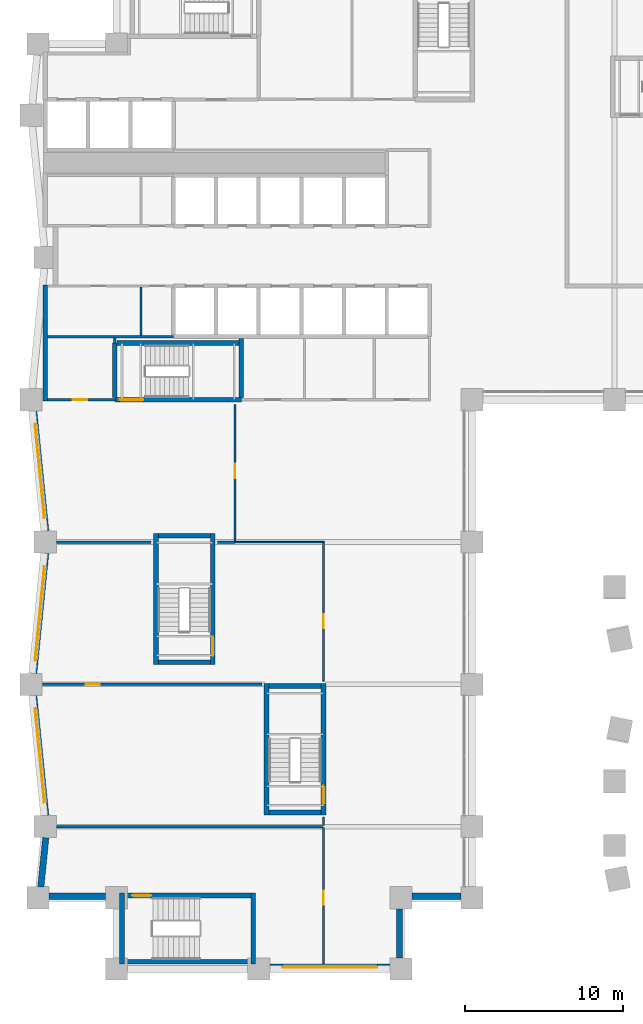
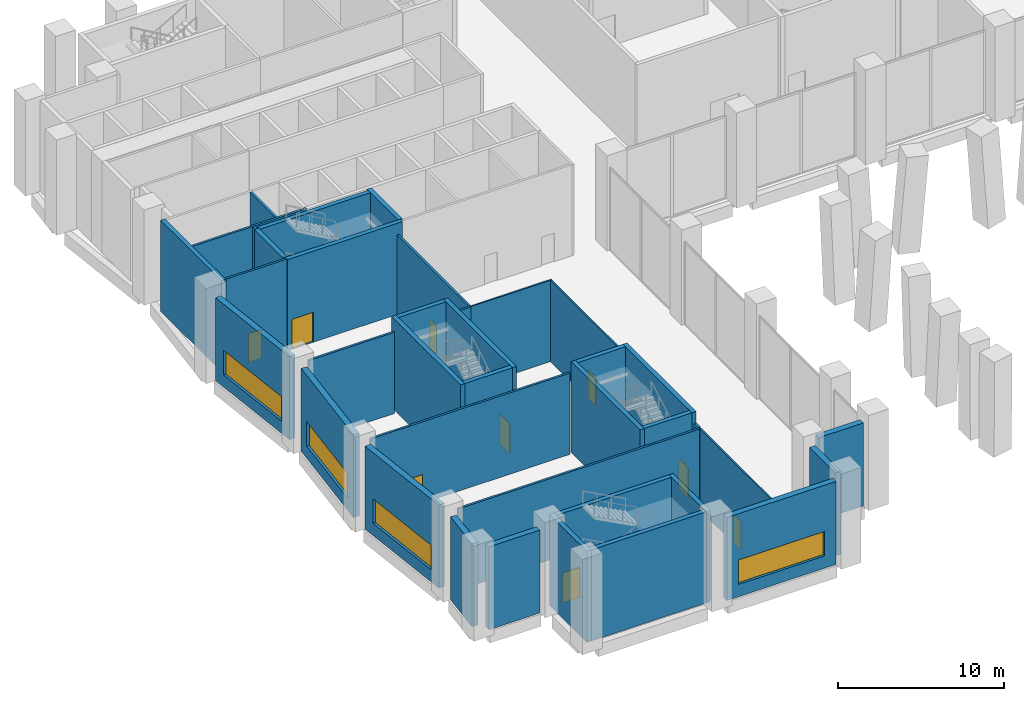
# One storey, part 10 of 18: 38 walls, 9 doors, 4 windows, 13 openings.
"""IFC4 building model written with IfcOpenShell, lengths in metres."""

from ifc_helpers import new_model, si_unit, direction, frame, frame_2d, origin, place, context, subcontext, project, spatial, rectangle, extrude, material, layer, layer_set, type_object, element, fill, save


model = new_model("IFC4")

# Units and contexts
model_context = context("Model", 3, precision=1e-05, world=origin(), true_north=direction((0.0, 1.0)))
body_context = subcontext(model_context, "Body", "Model", "MODEL_VIEW")
ifc_project = project(units=[si_unit("LENGTHUNIT", "METRE"), si_unit("AREAUNIT", "SQUARE_METRE"), si_unit("VOLUMEUNIT", "CUBIC_METRE"), si_unit("PLANEANGLEUNIT", "RADIAN"), si_unit("MASSUNIT", "GRAM", prefix="KILO")], contexts=[model_context])

# Site, building, storey
site_placement = place(None, origin())
site = spatial("IfcSite", under=ifc_project, at=site_placement, CompositionType="ELEMENT")
building_placement = place(site_placement, origin())
building = spatial("IfcBuilding", under=site, at=building_placement, Name="Brondeck Convention Tower", CompositionType="ELEMENT")
storey_placement = place(building_placement, frame((0.0, 0.0, 7.5)))
storey = spatial("IfcBuildingStorey", under=building, at=storey_placement, Name="L01", CompositionType="ELEMENT", Elevation=7.5)

# Wall
ifc_material_1 = material(Name="Concrete C80/95", Category="concrete")
ifc_layer_1 = layer(ifc_material_1, 0.300048828125)
ifc_layer_set_1 = layer_set([ifc_layer_1], Name="Core outer wall 300 Concrete C80/95")
wall_type_1 = type_object("IfcWallType", Name="Core outer wall 300 Concrete C80/95", PredefinedType="SHEAR", material=ifc_layer_set_1)
wall_1_placement = place(storey_placement, frame((0.0, 35.925048828125, 0.0), z_axis=(0.0, 0.0, 1.0), x_axis=(0.0, 1.0, 0.0)))
element("IfcWall", 1, at=wall_1_placement, inside=storey, type_object=wall_type_1, Name="L01 core wall", PredefinedType="SHEAR", context=body_context, shape_type="SweptSolid", body=[
    extrude(rectangle(XDim=7.349853515625, YDim=0.300048828125, at=frame_2d((3.6748046875, 0.0))), origin(), (0.0, 0.0, 1.0), 6.699951171875),
])

# Wall, opening, door
ifc_material_2 = material(Name="Fire-rated gypsum board partition")
ifc_layer_2 = layer(ifc_material_2, 0.14990234375)
ifc_layer_set_2 = layer_set([ifc_layer_2], Name="Core partition 150 EI 60")
wall_type_2 = type_object("IfcWallType", Name="Core partition 150 EI 60", PredefinedType="PARTITIONING", material=ifc_layer_set_2)
wall_2_placement = place(storey_placement, frame((0.14990234375, 36.0, 0.0), z_axis=(0.0, 0.0, 1.0), x_axis=(1.0, 0.0, 0.0)))
wall_2 = element("IfcWall", 2, at=wall_2_placement, inside=storey, type_object=wall_type_2, Name="L01 core wall", PredefinedType="PARTITIONING", context=body_context, shape_type="SweptSolid", body=[
    extrude(rectangle(XDim=4.25, YDim=0.14990234375, at=frame_2d((2.125, 0.0))), origin(), (0.0, 0.0, 1.0), 6.699951171875),
])
opening_1_placement = place(wall_2_placement, frame((1.60009765625, 0.0, 0.0)))
opening_1 = element("IfcOpeningElement", 3, at=opening_1_placement, cuts=wall_2, Name="Opening C03-06", PredefinedType="OPENING", context=body_context, shape_type="SweptSolid", body=[
    extrude(rectangle(XDim=0.89990234375, YDim=2.10009765625, at=frame_2d((0.449951171875, 1.050048828125))), frame((0.0, 0.0849609375, 0.0), z_axis=(0.0, -1.0, 0.0), x_axis=(1.0, 0.0, 0.0)), (0.0, 0.0, 1.0), 0.169921875),
])
ifc_material_3 = material(Name="Steel fire door", Category="steel")
door_type_1 = type_object("IfcDoorType", Name="Room door 900x2100 EI 60", OperationType="NOTDEFINED", PredefinedType="DOOR", material=ifc_material_3)
door_1_placement = place(opening_1_placement, origin())
door_1 = element("IfcDoor", 4, at=door_1_placement, inside=storey, type_object=door_type_1, Name="L01 Room door FRW-1", OperationType="SINGLE_SWING_LEFT", OverallHeight=2.10009765625, OverallWidth=0.89990234375, PredefinedType="DOOR", context=body_context, shape_type="SweptSolid", body=[
    extrude(rectangle(XDim=0.89990234375, YDim=2.10009765625, at=frame_2d((0.449951171875, 1.050048828125))), frame((0.0, 0.02490234375, 0.0), z_axis=(0.0, -1.0, 0.0), x_axis=(1.0, 0.0, 0.0)), (0.0, 0.0, 1.0), 0.050048828125),
])
fill(opening_1, door_1)

# Walls
wall_3_placement = place(storey_placement, frame((0.14990234375, 40.0, 0.0), z_axis=(0.0, 0.0, 1.0), x_axis=(1.0, 0.0, 0.0)))
element("IfcWall", 5, at=wall_3_placement, inside=storey, type_object=wall_type_2, Name="L01 core wall", PredefinedType="PARTITIONING", context=body_context, shape_type="SweptSolid", body=[
    extrude(rectangle(XDim=7.9501953125, YDim=0.14990234375, at=frame_2d((3.97509765625, 0.0))), origin(), (0.0, 0.0, 1.0), 6.699951171875),
])
wall_4_placement = place(storey_placement, frame((4.39990234375, 39.60009765625, 0.0), z_axis=(0.0, 0.0, 1.0), x_axis=(0.0, 1.0, 0.0)))
element("IfcWall", 6, at=wall_4_placement, inside=storey, type_object=wall_type_2, Name="L01 core wall", PredefinedType="PARTITIONING", context=body_context, shape_type="SweptSolid", body=[
    extrude(rectangle(XDim=0.324951171875, YDim=0.14990234375, at=frame_2d((0.16259765625, 0.0))), origin(), (0.0, 0.0, 1.0), 6.699951171875),
])
wall_5_placement = place(storey_placement, frame((6.050048828125, 40.074951171875, 0.0), z_axis=(0.0, 0.0, 1.0), x_axis=(0.0, 1.0, 0.0)))
element("IfcWall", 7, at=wall_5_placement, inside=storey, type_object=wall_type_2, Name="L01 core wall", PredefinedType="PARTITIONING", context=body_context, shape_type="SweptSolid", body=[
    extrude(rectangle(XDim=3.050048828125, YDim=0.14990234375, at=frame_2d((1.52490234375, 0.0))), origin(), (0.0, 0.0, 1.0), 6.699951171875),
])

# Wall, opening, window
ifc_material_4 = material(Name="Limestone", Category="masonry")
ifc_layer_3 = layer(ifc_material_4, 0.10009765625, Name="Limestone facing")
ifc_material_5 = material(Name="Mineral wool")
ifc_layer_4 = layer(ifc_material_5, 0.159912109375, Name="Insulation")
ifc_material_6 = material(Name="Concrete C35/45", Category="concrete")
ifc_layer_5 = layer(ifc_material_6, 0.139892578125, Name="Backing")
ifc_layer_set_3 = layer_set([ifc_layer_3, ifc_layer_4, ifc_layer_5], Name="External wall, limestone cladding")
wall_type_3 = type_object("IfcWallType", Name="External wall, limestone cladding", PredefinedType="SOLIDWALL", material=ifc_layer_set_3)
wall_6_placement = place(storey_placement, frame((21.800048828125, 0.10009765625, 0.0), z_axis=(0.0, 0.0, 1.0), x_axis=(-1.0, 0.0, 0.0)))
wall_6 = element("IfcWall", 8, at=wall_6_placement, inside=storey, type_object=wall_type_3, Name="ENV-EW-L01-BASE-B-S-04", PredefinedType="SOLIDWALL", context=body_context, shape_type="SweptSolid", body=[
    extrude(rectangle(XDim=7.60009765625, YDim=0.39990234375, at=frame_2d((3.800048828125, 0.0))), origin(), (0.0, 0.0, 1.0), 6.10009765625),
])
opening_2_placement = place(wall_6_placement, frame((0.800048828125, 0.0, 0.89990234375)))
opening_2 = element("IfcOpeningElement", 9, at=opening_2_placement, cuts=wall_6, Name="Opening W4", PredefinedType="OPENING", context=body_context, shape_type="SweptSolid", body=[
    extrude(rectangle(XDim=6.0, YDim=1.800048828125, at=frame_2d((3.0, 0.89990234375))), frame((0.0, 0.2099609375, 0.0), z_axis=(0.0, -1.0, 0.0), x_axis=(1.0, 0.0, 0.0)), (0.0, 0.0, 1.0), 0.419921875),
])
ifc_material_7 = material(Name="Bronze tinted double glazing", Category="glass")
window_type = type_object("IfcWindowType", Name="Podium ribbon window, bronze tinted", PartitioningType="SINGLE_PANEL", PredefinedType="WINDOW", material=ifc_material_7)
window_1_placement = place(opening_2_placement, origin())
window_1 = element("IfcWindow", 10, at=window_1_placement, inside=storey, type_object=window_type, Name="ENV-WN-L01-BASE-B-S-04", OverallHeight=1.800048828125, OverallWidth=6.0, PartitioningType="SINGLE_PANEL", PredefinedType="WINDOW", context=body_context, shape_type="SweptSolid", body=[
    extrude(rectangle(XDim=6.0, YDim=1.800048828125, at=frame_2d((3.0, 0.89990234375))), frame((0.0, 0.030029296875, 0.0), z_axis=(0.0, -1.0, 0.0), x_axis=(1.0, 0.0, 0.0)), (0.0, 0.0, 1.0), 0.06005859375),
])
fill(opening_2, window_1)

# Walls
for number, where, z_axis, x_axis, name in (
    (11, (22.39990234375, 3.800048828125, 0.0), (0.0, 0.0, 1.0), (0.0, -1.0, 0.0), "ENV-EW-L01-BASE-NC-SEB-01"),
    (12, (26.300048828125, 4.60009765625, 0.0), (0.0, 0.0, 1.0), (-1.0, 0.0, 0.0), "ENV-EW-L01-BASE-NC-SEB-02"),
):
    element("IfcWall", number, at=place(storey_placement, frame(where, z_axis=z_axis, x_axis=x_axis)), inside=storey, type_object=wall_type_3, Name=name, PredefinedType="SOLIDWALL", context=body_context, shape_type="SweptSolid", body=[
        extrude(rectangle(XDim=3.10009765625, YDim=0.39990234375, at=frame_2d((1.550048828125, 0.0))), origin(), (0.0, 0.0, 1.0), 6.10009765625),
    ])

# Wall, opening, window
wall_7_placement = place(storey_placement, frame((0.02978515625, 27.70654296875, 0.0), z_axis=(0.0, 0.0, 1.0), x_axis=(-0.099478423711, 0.995039719416, 0.0)))
wall_7 = element("IfcWall", 13, at=wall_7_placement, inside=storey, type_object=wall_type_3, Name="ENV-EW-L01-BASE-B-W-07", PredefinedType="SOLIDWALL", context=body_context, shape_type="SweptSolid", body=[
    extrude(rectangle(XDim=7.644775390625, YDim=0.39990234375, at=frame_2d((3.822265625, 0.0))), origin(), (0.0, 0.0, 1.0), 6.10009765625),
])
opening_3_placement = place(wall_7_placement, frame((0.822509765625, 0.0, 0.89990234375)))
opening_3 = element("IfcOpeningElement", 14, at=opening_3_placement, cuts=wall_7, Name="Opening W4", PredefinedType="OPENING", context=body_context, shape_type="SweptSolid", body=[
    extrude(rectangle(XDim=6.0, YDim=1.800048828125, at=frame_2d((3.0, 0.89990234375))), frame((0.0, 0.2099609375, 0.0), z_axis=(0.0, -1.0, 0.0), x_axis=(1.0, 0.0, 0.0)), (0.0, 0.0, 1.0), 0.419921875),
])
window_2_placement = place(opening_3_placement, origin())
window_2 = element("IfcWindow", 15, at=window_2_placement, inside=storey, type_object=window_type, Name="ENV-WN-L01-BASE-B-W-07", OverallHeight=1.800048828125, OverallWidth=6.0, PartitioningType="SINGLE_PANEL", PredefinedType="WINDOW", context=body_context, shape_type="SweptSolid", body=[
    extrude(rectangle(XDim=6.0, YDim=1.800048828125, at=frame_2d((3.0, 0.89990234375))), frame((0.0, 0.030029296875, 0.0), z_axis=(0.0, -1.0, 0.0), x_axis=(1.0, 0.0, 0.0)), (0.0, 0.0, 1.0), 0.06005859375),
])
fill(opening_3, window_2)

wall_8_placement = place(storey_placement, frame((-0.730712890625, 18.6865234375, 0.0), z_axis=(0.0, 0.0, 1.0), x_axis=(0.099478423711, 0.995039719416, 0.0)))
wall_8 = element("IfcWall", 16, at=wall_8_placement, inside=storey, type_object=wall_type_3, Name="ENV-EW-L01-BASE-B-W-09", PredefinedType="SOLIDWALL", context=body_context, shape_type="SweptSolid", body=[
    extrude(rectangle(XDim=7.644775390625, YDim=0.39990234375, at=frame_2d((3.822265625, 0.0))), origin(), (0.0, 0.0, 1.0), 6.10009765625),
])
opening_4_placement = place(wall_8_placement, frame((0.822509765625, 0.0, 0.89990234375)))
opening_4 = element("IfcOpeningElement", 17, at=opening_4_placement, cuts=wall_8, Name="Opening W4", PredefinedType="OPENING", context=body_context, shape_type="SweptSolid", body=[
    extrude(rectangle(XDim=6.0, YDim=1.800048828125, at=frame_2d((3.0, 0.89990234375))), frame((0.0, 0.2099609375, 0.0), z_axis=(0.0, -1.0, 0.0), x_axis=(1.0, 0.0, 0.0)), (0.0, 0.0, 1.0), 0.419921875),
])
window_3_placement = place(opening_4_placement, origin())
window_3 = element("IfcWindow", 18, at=window_3_placement, inside=storey, type_object=window_type, Name="ENV-WN-L01-BASE-B-W-09", OverallHeight=1.800048828125, OverallWidth=6.0, PartitioningType="SINGLE_PANEL", PredefinedType="WINDOW", context=body_context, shape_type="SweptSolid", body=[
    extrude(rectangle(XDim=6.0, YDim=1.800048828125, at=frame_2d((3.0, 0.89990234375))), frame((0.0, 0.030029296875, 0.0), z_axis=(0.0, -1.0, 0.0), x_axis=(1.0, 0.0, 0.0)), (0.0, 0.0, 1.0), 0.06005859375),
])
fill(opening_4, window_3)

wall_9_placement = place(storey_placement, frame((0.02978515625, 9.70654296875, 0.0), z_axis=(0.0, 0.0, 1.0), x_axis=(-0.099478423711, 0.995039719416, 0.0)))
wall_9 = element("IfcWall", 19, at=wall_9_placement, inside=storey, type_object=wall_type_3, Name="ENV-EW-L01-BASE-B-W-11", PredefinedType="SOLIDWALL", context=body_context, shape_type="SweptSolid", body=[
    extrude(rectangle(XDim=7.644775390625, YDim=0.39990234375, at=frame_2d((3.822265625, 0.0))), origin(), (0.0, 0.0, 1.0), 6.10009765625),
])
opening_5_placement = place(wall_9_placement, frame((0.822509765625, 0.0, 0.89990234375)))
opening_5 = element("IfcOpeningElement", 20, at=opening_5_placement, cuts=wall_9, Name="Opening W4", PredefinedType="OPENING", context=body_context, shape_type="SweptSolid", body=[
    extrude(rectangle(XDim=6.0, YDim=1.800048828125, at=frame_2d((3.0, 0.89990234375))), frame((0.0, 0.2099609375, 0.0), z_axis=(0.0, -1.0, 0.0), x_axis=(1.0, 0.0, 0.0)), (0.0, 0.0, 1.0), 0.419921875),
])
window_4_placement = place(opening_5_placement, origin())
window_4 = element("IfcWindow", 21, at=window_4_placement, inside=storey, type_object=window_type, Name="ENV-WN-L01-BASE-B-W-11", OverallHeight=1.800048828125, OverallWidth=6.0, PartitioningType="SINGLE_PANEL", PredefinedType="WINDOW", context=body_context, shape_type="SweptSolid", body=[
    extrude(rectangle(XDim=6.0, YDim=1.800048828125, at=frame_2d((3.0, 0.89990234375))), frame((0.0, 0.030029296875, 0.0), z_axis=(0.0, -1.0, 0.0), x_axis=(1.0, 0.0, 0.0)), (0.0, 0.0, 1.0), 0.06005859375),
])
fill(opening_5, window_4)

# Walls
wall_10_placement = place(storey_placement, frame((-0.28076171875, 5.1865234375, 0.0), z_axis=(0.0, 0.0, 1.0), x_axis=(0.099457269599, 0.995041834057, 0.0)))
element("IfcWall", 22, at=wall_10_placement, inside=storey, type_object=wall_type_3, Name="ENV-EW-L01-BASE-B-W-12", PredefinedType="SOLIDWALL", context=body_context, shape_type="SweptSolid", body=[
    extrude(rectangle(XDim=3.122314453125, YDim=0.39990234375, at=frame_2d((1.56103515625, 0.0))), origin(), (0.0, 0.0, 1.0), 6.10009765625),
])
wall_11_placement = place(storey_placement, frame((3.800048828125, 4.60009765625, 0.0), z_axis=(0.0, 0.0, 1.0), x_axis=(-1.0, 0.0, 0.0)))
element("IfcWall", 23, at=wall_11_placement, inside=storey, type_object=wall_type_3, Name="ENV-EW-L01-BASE-NC-SWB-01", PredefinedType="SOLIDWALL", context=body_context, shape_type="SweptSolid", body=[
    extrude(rectangle(XDim=3.550048828125, YDim=0.39990234375, at=frame_2d((1.77490234375, 0.0))), origin(), (0.0, 0.0, 1.0), 6.10009765625),
])
ifc_material_8 = material(Name="Double gypsum board acoustic wall")
ifc_layer_6 = layer(ifc_material_8, 0.14990234375)
ifc_layer_set_4 = layer_set([ifc_layer_6], Name="Guest room party wall 150")
wall_type_4 = type_object("IfcWallType", Name="Guest room party wall 150", PredefinedType="PARTITIONING", material=ifc_layer_set_4)
wall_12_placement = place(storey_placement, frame((0.719970703125, 9.0, 0.0), z_axis=(0.0, 0.0, 1.0), x_axis=(1.0, 0.0, 0.0)))
element("IfcWall", 24, at=wall_12_placement, inside=storey, type_object=wall_type_4, Name="FLR-L01-W002", PredefinedType="PARTITIONING", context=body_context, shape_type="SweptSolid", body=[
    extrude(rectangle(XDim=16.804931640625, YDim=0.14990234375, at=frame_2d((8.40234375, 0.0))), origin(), (0.0, 0.0, 1.0), 5.97998046875),
])
wall_13_placement = place(storey_placement, frame((17.60009765625, 9.074951171875, 0.0), z_axis=(0.0, 0.0, 1.0), x_axis=(0.0, 1.0, 0.0)))
element("IfcWall", 25, at=wall_13_placement, inside=storey, type_object=wall_type_4, Name="FLR-L01-W003", PredefinedType="PARTITIONING", context=body_context, shape_type="SweptSolid", body=[
    extrude(rectangle(XDim=0.525146484375, YDim=0.14990234375, at=frame_2d((0.2626953125, 0.0))), origin(), (0.0, 0.0, 1.0), 5.97998046875),
])

# Wall, opening, door
wall_14_placement = place(storey_placement, frame((13.699951171875, 18.0, 0.0), z_axis=(0.0, 0.0, 1.0), x_axis=(-1.0, 0.0, 0.0)))
wall_14 = element("IfcWall", 26, at=wall_14_placement, inside=storey, type_object=wall_type_4, Name="FLR-L01-W004", PredefinedType="PARTITIONING", context=body_context, shape_type="SweptSolid", body=[
    extrude(rectangle(XDim=13.8798828125, YDim=0.14990234375, at=frame_2d((6.93994140625, 0.0))), origin(), (0.0, 0.0, 1.0), 5.97998046875),
])
opening_6_placement = place(wall_14_placement, frame((10.25, 0.0, 0.0)))
opening_6 = element("IfcOpeningElement", 27, at=opening_6_placement, cuts=wall_14, Name="Opening P-L01-009", PredefinedType="OPENING", context=body_context, shape_type="SweptSolid", body=[
    extrude(rectangle(XDim=0.89990234375, YDim=2.10009765625, at=frame_2d((0.449951171875, 1.050048828125))), frame((0.0, 0.0849609375, 0.0), z_axis=(0.0, -1.0, 0.0), x_axis=(1.0, 0.0, 0.0)), (0.0, 0.0, 1.0), 0.169921875),
])
ifc_material_9 = material(Name="Solid timber door leaf", Category="wood")
door_type_2 = type_object("IfcDoorType", Name="Single door 900", OperationType="NOTDEFINED", PredefinedType="DOOR", material=ifc_material_9)
door_2_placement = place(opening_6_placement, origin())
door_2 = element("IfcDoor", 28, at=door_2_placement, inside=storey, type_object=door_type_2, Name="Door P-L01-009", OperationType="SINGLE_SWING_RIGHT", OverallHeight=2.10009765625, OverallWidth=0.89990234375, PredefinedType="DOOR", context=body_context, shape_type="SweptSolid", body=[
    extrude(rectangle(XDim=0.89990234375, YDim=2.10009765625, at=frame_2d((0.449951171875, 1.050048828125))), frame((0.0, 0.02490234375, 0.0), z_axis=(0.0, -1.0, 0.0), x_axis=(1.0, 0.0, 0.0)), (0.0, 0.0, 1.0), 0.050048828125),
])
fill(opening_6, door_2)

# Walls
wall_15_placement = place(storey_placement, frame((0.719970703125, 27.0, 0.0), z_axis=(0.0, 0.0, 1.0), x_axis=(1.0, 0.0, 0.0)))
element("IfcWall", 29, at=wall_15_placement, inside=storey, type_object=wall_type_4, Name="FLR-L01-W006", PredefinedType="PARTITIONING", context=body_context, shape_type="SweptSolid", body=[
    extrude(rectangle(XDim=5.97998046875, YDim=0.14990234375, at=frame_2d((2.989990234375, 0.0))), origin(), (0.0, 0.0, 1.0), 5.97998046875),
])
wall_16_placement = place(storey_placement, frame((10.89990234375, 27.0, 0.0), z_axis=(0.0, 0.0, 1.0), x_axis=(1.0, 0.0, 0.0)))
element("IfcWall", 30, at=wall_16_placement, inside=storey, type_object=wall_type_4, Name="FLR-L01-W007", PredefinedType="PARTITIONING", context=body_context, shape_type="SweptSolid", body=[
    extrude(rectangle(XDim=1.10009765625, YDim=0.14990234375, at=frame_2d((0.550048828125, 0.0))), origin(), (0.0, 0.0, 1.0), 5.97998046875),
])

# Wall, opening, door
wall_17_placement = place(storey_placement, frame((12.0, 27.074951171875, 0.0), z_axis=(0.0, 0.0, 1.0), x_axis=(0.0, 1.0, 0.0)))
wall_17 = element("IfcWall", 31, at=wall_17_placement, inside=storey, type_object=wall_type_4, Name="FLR-L01-W009", PredefinedType="PARTITIONING", context=body_context, shape_type="SweptSolid", body=[
    extrude(rectangle(XDim=8.625, YDim=0.14990234375, at=frame_2d((4.3125, 0.0))), origin(), (0.0, 0.0, 1.0), 5.97998046875),
])
opening_7_placement = place(wall_17_placement, frame((3.97509765625, 0.0, 0.0)))
opening_7 = element("IfcOpeningElement", 32, at=opening_7_placement, cuts=wall_17, Name="Opening P-L01-006", PredefinedType="OPENING", context=body_context, shape_type="SweptSolid", body=[
    extrude(rectangle(XDim=0.89990234375, YDim=2.10009765625, at=frame_2d((0.449951171875, 1.050048828125))), frame((0.0, 0.0849609375, 0.0), z_axis=(0.0, -1.0, 0.0), x_axis=(1.0, 0.0, 0.0)), (0.0, 0.0, 1.0), 0.169921875),
])
door_3_placement = place(opening_7_placement, origin())
door_3 = element("IfcDoor", 33, at=door_3_placement, inside=storey, type_object=door_type_2, Name="Door P-L01-006", OperationType="SINGLE_SWING_RIGHT", OverallHeight=2.10009765625, OverallWidth=0.89990234375, PredefinedType="DOOR", context=body_context, shape_type="SweptSolid", body=[
    extrude(rectangle(XDim=0.89990234375, YDim=2.10009765625, at=frame_2d((0.449951171875, 1.050048828125))), frame((0.0, 0.02490234375, 0.0), z_axis=(0.0, -1.0, 0.0), x_axis=(1.0, 0.0, 0.0)), (0.0, 0.0, 1.0), 0.050048828125),
])
fill(opening_7, door_3)

ifc_material_10 = material(Name="Gypsum board partition on steel studs", Category="steel")
ifc_layer_7 = layer(ifc_material_10, 0.10009765625)
ifc_layer_set_5 = layer_set([ifc_layer_7], Name="Room partition 100")
wall_type_5 = type_object("IfcWallType", Name="Room partition 100", PredefinedType="PARTITIONING", material=ifc_layer_set_5)
wall_18_placement = place(storey_placement, frame((17.60009765625, 0.320068359375, 0.0), z_axis=(0.0, 0.0, 1.0), x_axis=(0.0, 1.0, 0.0)))
wall_18 = element("IfcWall", 34, at=wall_18_placement, inside=storey, type_object=wall_type_5, Name="FLR-L01-W001", PredefinedType="PARTITIONING", context=body_context, shape_type="SweptSolid", body=[
    extrude(rectangle(XDim=8.60498046875, YDim=0.10009765625, at=frame_2d((4.302490234375, 0.0))), origin(), (0.0, 0.0, 1.0), 5.97998046875),
])
opening_8_placement = place(wall_18_placement, frame((3.72998046875, 0.0, 0.0)))
opening_8 = element("IfcOpeningElement", 35, at=opening_8_placement, cuts=wall_18, Name="Opening P-L01-007", PredefinedType="OPENING", context=body_context, shape_type="SweptSolid", body=[
    extrude(rectangle(XDim=0.89990234375, YDim=2.10009765625, at=frame_2d((0.449951171875, 1.050048828125))), frame((0.0, 0.06005859375, 0.0), z_axis=(0.0, -1.0, 0.0), x_axis=(1.0, 0.0, 0.0)), (0.0, 0.0, 1.0), 0.1201171875),
])
door_4_placement = place(opening_8_placement, origin())
door_4 = element("IfcDoor", 36, at=door_4_placement, inside=storey, type_object=door_type_2, Name="Door P-L01-007", OperationType="SINGLE_SWING_LEFT", OverallHeight=2.10009765625, OverallWidth=0.89990234375, PredefinedType="DOOR", context=body_context, shape_type="SweptSolid", body=[
    extrude(rectangle(XDim=0.89990234375, YDim=2.10009765625, at=frame_2d((0.449951171875, 1.050048828125))), frame((0.0, 0.02490234375, 0.0), z_axis=(0.0, -1.0, 0.0), x_axis=(1.0, 0.0, 0.0)), (0.0, 0.0, 1.0), 0.050048828125),
])
fill(opening_8, door_4)

wall_19_placement = place(storey_placement, frame((17.60009765625, 18.199951171875, 0.0), z_axis=(0.0, 0.0, 1.0), x_axis=(0.0, 1.0, 0.0)))
wall_19 = element("IfcWall", 37, at=wall_19_placement, inside=storey, type_object=wall_type_5, Name="FLR-L01-W005", PredefinedType="PARTITIONING", context=body_context, shape_type="SweptSolid", body=[
    extrude(rectangle(XDim=8.75, YDim=0.10009765625, at=frame_2d((4.375, 0.0))), origin(), (0.0, 0.0, 1.0), 5.97998046875),
])
opening_9_placement = place(wall_19_placement, frame((3.35009765625, 0.0, 0.0)))
opening_9 = element("IfcOpeningElement", 38, at=opening_9_placement, cuts=wall_19, Name="Opening P-L01-008", PredefinedType="OPENING", context=body_context, shape_type="SweptSolid", body=[
    extrude(rectangle(XDim=0.89990234375, YDim=2.10009765625, at=frame_2d((0.449951171875, 1.050048828125))), frame((0.0, 0.06005859375, 0.0), z_axis=(0.0, -1.0, 0.0), x_axis=(1.0, 0.0, 0.0)), (0.0, 0.0, 1.0), 0.1201171875),
])
door_5_placement = place(opening_9_placement, origin())
door_5 = element("IfcDoor", 39, at=door_5_placement, inside=storey, type_object=door_type_2, Name="Door P-L01-008", OperationType="SINGLE_SWING_LEFT", OverallHeight=2.10009765625, OverallWidth=0.89990234375, PredefinedType="DOOR", context=body_context, shape_type="SweptSolid", body=[
    extrude(rectangle(XDim=0.89990234375, YDim=2.10009765625, at=frame_2d((0.449951171875, 1.050048828125))), frame((0.0, 0.02490234375, 0.0), z_axis=(0.0, -1.0, 0.0), x_axis=(1.0, 0.0, 0.0)), (0.0, 0.0, 1.0), 0.050048828125),
])
fill(opening_9, door_5)

# Walls
wall_20_placement = place(storey_placement, frame((17.64990234375, 27.0, 0.0), z_axis=(0.0, 0.0, 1.0), x_axis=(-1.0, 0.0, 0.0)))
element("IfcWall", 40, at=wall_20_placement, inside=storey, type_object=wall_type_5, Name="FLR-L01-W008", PredefinedType="PARTITIONING", context=body_context, shape_type="SweptSolid", body=[
    extrude(rectangle(XDim=5.64990234375, YDim=0.10009765625, at=frame_2d((2.824951171875, 0.0))), origin(), (0.0, 0.0, 1.0), 5.97998046875),
])
ifc_layer_8 = layer(ifc_material_1, 0.300048828125)
ifc_layer_set_6 = layer_set([ifc_layer_8], Name="Stair enclosure wall 300 Concrete C80/95")
wall_type_6 = type_object("IfcWallType", Name="Stair enclosure wall 300 Concrete C80/95", PredefinedType="SHEAR", material=ifc_layer_set_6)
wall_21_placement = place(storey_placement, frame((5.0, 0.449951171875, 0.0), z_axis=(0.0, 0.0, 1.0), x_axis=(1.0, 0.0, 0.0)))
element("IfcWall", 41, at=wall_21_placement, inside=storey, type_object=wall_type_6, Name="L01 core wall", PredefinedType="SHEAR", context=body_context, shape_type="SweptSolid", body=[
    extrude(rectangle(XDim=8.0, YDim=0.300048828125, at=frame_2d((4.0, 0.0))), origin(), (0.0, 0.0, 1.0), 6.699951171875),
])

# Wall, opening, door
wall_22_placement = place(storey_placement, frame((5.0, 4.64990234375, 0.0), z_axis=(0.0, 0.0, 1.0), x_axis=(1.0, 0.0, 0.0)))
wall_22 = element("IfcWall", 42, at=wall_22_placement, inside=storey, type_object=wall_type_6, Name="L01 core wall", PredefinedType="SHEAR", context=body_context, shape_type="SweptSolid", body=[
    extrude(rectangle(XDim=8.0, YDim=0.300048828125, at=frame_2d((4.0, 0.0))), origin(), (0.0, 0.0, 1.0), 6.699951171875),
])
opening_10_placement = place(wall_22_placement, frame((0.5, 0.0, 0.0)))
opening_10 = element("IfcOpeningElement", 43, at=opening_10_placement, cuts=wall_22, Name="Opening C03-14", PredefinedType="OPENING", context=body_context, shape_type="SweptSolid", body=[
    extrude(rectangle(XDim=1.199951171875, YDim=2.199951171875, at=frame_2d((0.60009765625, 1.10009765625))), frame((0.0, 0.159912109375, 0.0), z_axis=(0.0, -1.0, 0.0), x_axis=(1.0, 0.0, 0.0)), (0.0, 0.0, 1.0), 0.320068359375),
])
door_type_3 = type_object("IfcDoorType", Name="Stair door 1200x2200 EI 90", OperationType="NOTDEFINED", PredefinedType="DOOR", material=ifc_material_3)
door_6_placement = place(opening_10_placement, origin())
door_6 = element("IfcDoor", 44, at=door_6_placement, inside=storey, type_object=door_type_3, Name="L01 Stair door PS-2", OperationType="SINGLE_SWING_LEFT", OverallHeight=2.199951171875, OverallWidth=1.199951171875, PredefinedType="DOOR", context=body_context, shape_type="SweptSolid", body=[
    extrude(rectangle(XDim=1.199951171875, YDim=2.199951171875, at=frame_2d((0.60009765625, 1.10009765625))), frame((0.0, 0.02490234375, 0.0), z_axis=(0.0, -1.0, 0.0), x_axis=(1.0, 0.0, 0.0)), (0.0, 0.0, 1.0), 0.050048828125),
])
fill(opening_10, door_6)

# Walls
for number, where, z_axis, x_axis, name in (
    (45, (14.14990234375, 9.89990234375, 0.0), (0.0, 0.0, 1.0), (1.0, 0.0, 0.0), "L01 core wall"),
    (46, (14.14990234375, 17.89990234375, 0.0), (0.0, 0.0, 1.0), (1.0, 0.0, 0.0), "L01 core wall"),
    (47, (7.14990234375, 19.39990234375, 0.0), (0.0, 0.0, 1.0), (1.0, 0.0, 0.0), "L01 core wall"),
    (48, (7.14990234375, 27.39990234375, 0.0), (0.0, 0.0, 1.0), (1.0, 0.0, 0.0), "L01 core wall"),
):
    element("IfcWall", number, at=place(storey_placement, frame(where, z_axis=z_axis, x_axis=x_axis)), inside=storey, type_object=wall_type_6, Name=name, PredefinedType="SHEAR", context=body_context, shape_type="SweptSolid", body=[
        extrude(rectangle(XDim=3.300048828125, YDim=0.300048828125, at=frame_2d((1.64990234375, 0.0))), origin(), (0.0, 0.0, 1.0), 6.699951171875),
    ])

# Wall, opening, door
wall_23_placement = place(storey_placement, frame((4.39990234375, 36.0, 0.0), z_axis=(0.0, 0.0, 1.0), x_axis=(1.0, 0.0, 0.0)))
wall_23 = element("IfcWall", 49, at=wall_23_placement, inside=storey, type_object=wall_type_6, Name="L01 core wall", PredefinedType="SHEAR", context=body_context, shape_type="SweptSolid", body=[
    extrude(rectangle(XDim=8.0, YDim=0.300048828125, at=frame_2d((4.0, 0.0))), origin(), (0.0, 0.0, 1.0), 6.699951171875),
])
opening_11_placement = place(wall_23_placement, frame((0.300048828125, 0.0, 0.0)))
opening_11 = element("IfcOpeningElement", 50, at=opening_11_placement, cuts=wall_23, Name="Opening C03-15", PredefinedType="OPENING", context=body_context, shape_type="SweptSolid", body=[
    extrude(rectangle(XDim=1.5, YDim=2.199951171875, at=frame_2d((0.75, 1.10009765625))), frame((0.0, 0.159912109375, 0.0), z_axis=(0.0, -1.0, 0.0), x_axis=(1.0, 0.0, 0.0)), (0.0, 0.0, 1.0), 0.320068359375),
])
door_type_4 = type_object("IfcDoorType", Name="Stair door 1500x2200 EI 90", OperationType="NOTDEFINED", PredefinedType="DOOR", material=ifc_material_3)
door_7_placement = place(opening_11_placement, origin())
door_7 = element("IfcDoor", 51, at=door_7_placement, inside=storey, type_object=door_type_4, Name="L01 Stair door ST-1", OperationType="SINGLE_SWING_RIGHT", OverallHeight=2.199951171875, OverallWidth=1.5, PredefinedType="DOOR", context=body_context, shape_type="SweptSolid", body=[
    extrude(rectangle(XDim=1.5, YDim=2.199951171875, at=frame_2d((0.75, 1.10009765625))), frame((0.0, 0.02490234375, 0.0), z_axis=(0.0, -1.0, 0.0), x_axis=(1.0, 0.0, 0.0)), (0.0, 0.0, 1.0), 0.050048828125),
])
fill(opening_11, door_7)

# Walls
wall_24_placement = place(storey_placement, frame((4.550048828125, 39.60009765625, 0.0), z_axis=(0.0, 0.0, 1.0), x_axis=(1.0, 0.0, 0.0)))
element("IfcWall", 52, at=wall_24_placement, inside=storey, type_object=wall_type_6, Name="L01 core wall", PredefinedType="SHEAR", context=body_context, shape_type="SweptSolid", body=[
    extrude(rectangle(XDim=7.699951171875, YDim=0.300048828125, at=frame_2d((3.85009765625, 0.0))), origin(), (0.0, 0.0, 1.0), 6.699951171875),
])
wall_25_placement = place(storey_placement, frame((4.39990234375, 36.14990234375, 0.0), z_axis=(0.0, 0.0, 1.0), x_axis=(0.0, 1.0, 0.0)))
element("IfcWall", 53, at=wall_25_placement, inside=storey, type_object=wall_type_6, Name="L01 core wall", PredefinedType="SHEAR", context=body_context, shape_type="SweptSolid", body=[
    extrude(rectangle(XDim=3.4501953125, YDim=0.300048828125, at=frame_2d((1.72509765625, 0.0))), origin(), (0.0, 0.0, 1.0), 6.699951171875),
])
wall_26_placement = place(storey_placement, frame((4.85009765625, 0.300048828125, 0.0), z_axis=(0.0, 0.0, 1.0), x_axis=(0.0, 1.0, 0.0)))
element("IfcWall", 54, at=wall_26_placement, inside=storey, type_object=wall_type_6, Name="L01 core wall", PredefinedType="SHEAR", context=body_context, shape_type="SweptSolid", body=[
    extrude(rectangle(XDim=4.5, YDim=0.300048828125, at=frame_2d((2.25, 0.0))), origin(), (0.0, 0.0, 1.0), 6.699951171875),
])
wall_27_placement = place(storey_placement, frame((7.0, 19.25, 0.0), z_axis=(0.0, 0.0, 1.0), x_axis=(0.0, 1.0, 0.0)))
element("IfcWall", 55, at=wall_27_placement, inside=storey, type_object=wall_type_6, Name="L01 core wall", PredefinedType="SHEAR", context=body_context, shape_type="SweptSolid", body=[
    extrude(rectangle(XDim=8.300048828125, YDim=0.300048828125, at=frame_2d((4.14990234375, 0.0))), origin(), (0.0, 0.0, 1.0), 6.699951171875),
])

# Wall, opening, door
wall_28_placement = place(storey_placement, frame((10.60009765625, 19.25, 0.0), z_axis=(0.0, 0.0, 1.0), x_axis=(0.0, 1.0, 0.0)))
wall_28 = element("IfcWall", 56, at=wall_28_placement, inside=storey, type_object=wall_type_6, Name="L01 core wall", PredefinedType="SHEAR", context=body_context, shape_type="SweptSolid", body=[
    extrude(rectangle(XDim=8.300048828125, YDim=0.300048828125, at=frame_2d((4.14990234375, 0.0))), origin(), (0.0, 0.0, 1.0), 6.699951171875),
])
opening_12_placement = place(wall_28_placement, frame((0.550048828125, 0.0, 0.0)))
opening_12 = element("IfcOpeningElement", 57, at=opening_12_placement, cuts=wall_28, Name="Opening C03-20", PredefinedType="OPENING", context=body_context, shape_type="SweptSolid", body=[
    extrude(rectangle(XDim=1.199951171875, YDim=2.199951171875, at=frame_2d((0.60009765625, 1.10009765625))), frame((0.0, 0.159912109375, 0.0), z_axis=(0.0, -1.0, 0.0), x_axis=(1.0, 0.0, 0.0)), (0.0, 0.0, 1.0), 0.320068359375),
])
door_8_placement = place(opening_12_placement, origin())
door_8 = element("IfcDoor", 58, at=door_8_placement, inside=storey, type_object=door_type_3, Name="L01 Stair door ST-BE", OperationType="SINGLE_SWING_RIGHT", OverallHeight=2.199951171875, OverallWidth=1.199951171875, PredefinedType="DOOR", context=body_context, shape_type="SweptSolid", body=[
    extrude(rectangle(XDim=1.199951171875, YDim=2.199951171875, at=frame_2d((0.60009765625, 1.10009765625))), frame((0.0, 0.02490234375, 0.0), z_axis=(0.0, -1.0, 0.0), x_axis=(1.0, 0.0, 0.0)), (0.0, 0.0, 1.0), 0.050048828125),
])
fill(opening_12, door_8)

# Walls
wall_29_placement = place(storey_placement, frame((12.39990234375, 36.14990234375, 0.0), z_axis=(0.0, 0.0, 1.0), x_axis=(0.0, 1.0, 0.0)))
element("IfcWall", 59, at=wall_29_placement, inside=storey, type_object=wall_type_6, Name="L01 core wall", PredefinedType="SHEAR", context=body_context, shape_type="SweptSolid", body=[
    extrude(rectangle(XDim=3.72509765625, YDim=0.300048828125, at=frame_2d((1.862548828125, 0.0))), origin(), (0.0, 0.0, 1.0), 6.699951171875),
])
wall_30_placement = place(storey_placement, frame((13.14990234375, 0.300048828125, 0.0), z_axis=(0.0, 0.0, 1.0), x_axis=(0.0, 1.0, 0.0)))
element("IfcWall", 60, at=wall_30_placement, inside=storey, type_object=wall_type_6, Name="L01 core wall", PredefinedType="SHEAR", context=body_context, shape_type="SweptSolid", body=[
    extrude(rectangle(XDim=4.5, YDim=0.300048828125, at=frame_2d((2.25, 0.0))), origin(), (0.0, 0.0, 1.0), 6.699951171875),
])
wall_31_placement = place(storey_placement, frame((14.0, 9.75, 0.0), z_axis=(0.0, 0.0, 1.0), x_axis=(0.0, 1.0, 0.0)))
element("IfcWall", 61, at=wall_31_placement, inside=storey, type_object=wall_type_6, Name="L01 core wall", PredefinedType="SHEAR", context=body_context, shape_type="SweptSolid", body=[
    extrude(rectangle(XDim=8.300048828125, YDim=0.300048828125, at=frame_2d((4.14990234375, 0.0))), origin(), (0.0, 0.0, 1.0), 6.699951171875),
])

# Wall, opening, door
wall_32_placement = place(storey_placement, frame((17.60009765625, 9.75, 0.0), z_axis=(0.0, 0.0, 1.0), x_axis=(0.0, 1.0, 0.0)))
wall_32 = element("IfcWall", 62, at=wall_32_placement, inside=storey, type_object=wall_type_6, Name="L01 core wall", PredefinedType="SHEAR", context=body_context, shape_type="SweptSolid", body=[
    extrude(rectangle(XDim=8.300048828125, YDim=0.300048828125, at=frame_2d((4.14990234375, 0.0))), origin(), (0.0, 0.0, 1.0), 6.699951171875),
])
opening_13_placement = place(wall_32_placement, frame((0.64990234375, 0.0, 0.0)))
opening_13 = element("IfcOpeningElement", 63, at=opening_13_placement, cuts=wall_32, Name="Opening C03-21", PredefinedType="OPENING", context=body_context, shape_type="SweptSolid", body=[
    extrude(rectangle(XDim=1.199951171875, YDim=2.199951171875, at=frame_2d((0.60009765625, 1.10009765625))), frame((0.0, 0.159912109375, 0.0), z_axis=(0.0, -1.0, 0.0), x_axis=(1.0, 0.0, 0.0)), (0.0, 0.0, 1.0), 0.320068359375),
])
door_9_placement = place(opening_13_placement, origin())
door_9 = element("IfcDoor", 64, at=door_9_placement, inside=storey, type_object=door_type_3, Name="L01 Stair door ST-BF", OperationType="SINGLE_SWING_LEFT", OverallHeight=2.199951171875, OverallWidth=1.199951171875, PredefinedType="DOOR", context=body_context, shape_type="SweptSolid", body=[
    extrude(rectangle(XDim=1.199951171875, YDim=2.199951171875, at=frame_2d((0.60009765625, 1.10009765625))), frame((0.0, 0.02490234375, 0.0), z_axis=(0.0, -1.0, 0.0), x_axis=(1.0, 0.0, 0.0)), (0.0, 0.0, 1.0), 0.050048828125),
])
fill(opening_13, door_9)

save(model, "model.ifc")
